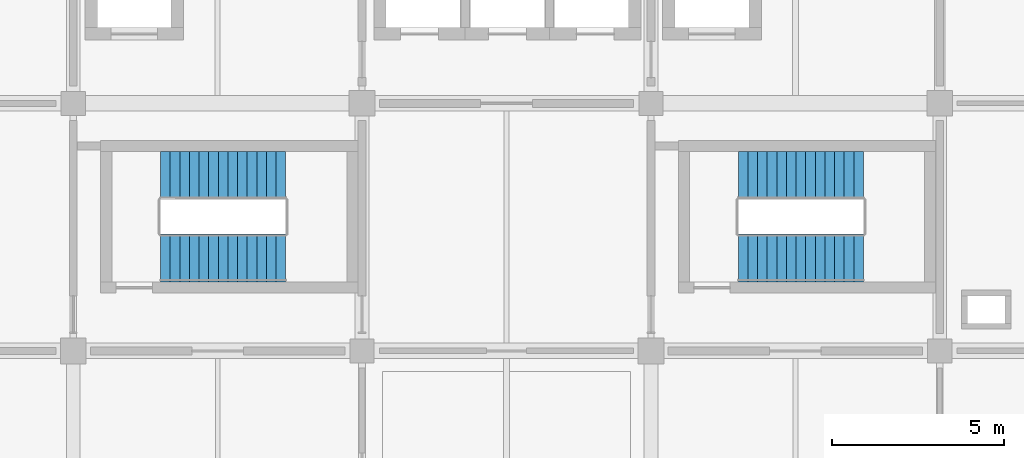
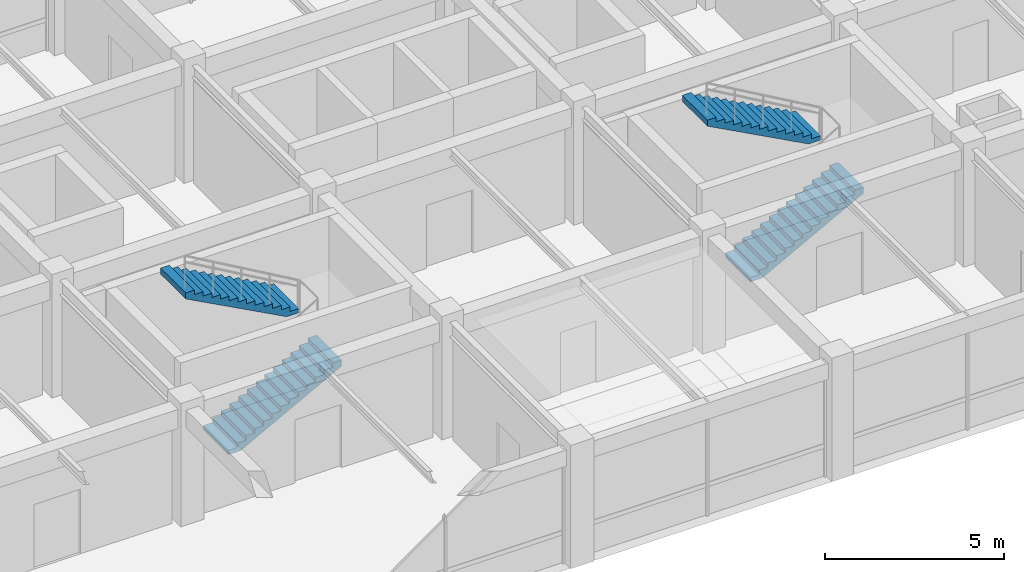
# One storey, part 11 of 13: 4 stair flights, 2 elements without a shape of their own.
"""IFC4 building model written with IfcOpenShell, lengths in metres."""

from ifc_helpers import new_model, si_unit, derived_unit, direction, frame, origin, place, context, subcontext, project, spatial, polyline, outline, extrude, material, type_object, element, aggregate, save


model = new_model("IFC4")

# Units and contexts
model_context = context("Model", 3, precision=1e-05, world=origin(), true_north=direction((0.0, 1.0)))
body_context = subcontext(model_context, "Body", "Model", "MODEL_VIEW")
ifc_project = project(units=[si_unit("LENGTHUNIT", "METRE"), si_unit("AREAUNIT", "SQUARE_METRE"), si_unit("VOLUMEUNIT", "CUBIC_METRE"), si_unit("PLANEANGLEUNIT", "RADIAN"), si_unit("MASSUNIT", "GRAM", prefix="KILO"), derived_unit("THERMALTRANSMITTANCEUNIT", [(si_unit("MASSUNIT", "GRAM", prefix="KILO"), 1), (si_unit("TIMEUNIT", "SECOND"), -3), (si_unit("THERMODYNAMICTEMPERATUREUNIT", "KELVIN"), -1)])], contexts=[model_context])

# Site, building, storey
site_placement = place(None, origin())
site = spatial("IfcSite", under=ifc_project, at=site_placement, CompositionType="ELEMENT")
building_placement = place(site_placement, origin())
building = spatial("IfcBuilding", under=site, at=building_placement, Name="Veldstrom Oceanarium and Marine Research Institute", CompositionType="ELEMENT")
storey_placement = place(building_placement, frame((0.0, 0.0, 31.199951171875)))
storey = spatial("IfcBuildingStorey", under=building, at=storey_placement, Name="L06", CompositionType="ELEMENT", Elevation=31.199951171875)

# Stair, stair flights
ifc_material_1 = material(Name="Concrete C40/50", Category="concrete")
stair_type = type_object("IfcStairType", Name="ARC-STR-ST-420", PredefinedType="TWO_STRAIGHT_RUN_STAIR", material=ifc_material_1)
stair_1_placement = place(storey_placement, origin())
stair_1 = element("IfcStair", 1, at=stair_1_placement, inside=storey, type_object=stair_type, Name="Dog-Leg Escape Stair ST1-L06", PredefinedType="TWO_STRAIGHT_RUN_STAIR")
ifc_material_2 = material(Name="Concrete C40/50", Category="concrete")
stair_flight_type = type_object("IfcStairFlightType", Name="ARC-STF-ST-420", PredefinedType="STRAIGHT", material=ifc_material_2)
stair_flight_1_placement = place(storey_placement, frame((78.139892578125, 53.10009765625, 0.0), z_axis=(0.0, 0.0, 1.0), x_axis=(1.0, 0.0, 0.0)))
stair_flight_1 = element("IfcStairFlight", 2, at=stair_flight_1_placement, type_object=stair_flight_type, Name="Stair Flight ST1-L06-1", NumberOfRisers=14, NumberOfTreads=13, PredefinedType="STRAIGHT", RiserHeight=0.15, TreadLength=0.28, context=body_context, shape_type="SweptSolid", body=[
    extrude(outline(polyline([(0.0, 0.0), (0.0, 0.14990234375), (0.280029296875, 0.14990234375), (0.280029296875, 0.300048828125), (0.56005859375, 0.300048828125), (0.56005859375, 0.449951171875), (0.840087890625, 0.449951171875), (0.840087890625, 0.60009765625), (1.1201171875, 0.60009765625), (1.1201171875, 0.75), (1.39990234375, 0.75), (1.39990234375, 0.89990234375), (1.679931640625, 0.89990234375), (1.679931640625, 1.050048828125), (1.9599609375, 1.050048828125), (1.9599609375, 1.199951171875), (2.239990234375, 1.199951171875), (2.239990234375, 1.35009765625), (2.52001953125, 1.35009765625), (2.52001953125, 1.5), (2.800048828125, 1.5), (2.800048828125, 1.64990234375), (3.080078125, 1.64990234375), (3.080078125, 1.800048828125), (3.360107421875, 1.800048828125), (3.360107421875, 1.949951171875), (3.639892578125, 1.949951171875), (3.639892578125, 2.10009765625), (3.639892578125, 1.745849609375), (0.381103515625, 0.0), (0.0, 0.0)])), frame((0.0, 0.699951171875, 0.0), z_axis=(0.0, -1.0, 0.0), x_axis=(1.0, 0.0, 0.0)), (0.0, 0.0, 1.0), 1.39990234375),
])
stair_flight_2_placement = place(storey_placement, frame((81.780029296875, 55.5, 2.10009765625), z_axis=(0.0, 0.0, 1.0), x_axis=(-1.0, 0.0, 0.0)))
stair_flight_2 = element("IfcStairFlight", 3, at=stair_flight_2_placement, type_object=stair_flight_type, Name="Stair Flight ST1-L06-2", NumberOfRisers=14, NumberOfTreads=13, PredefinedType="STRAIGHT", RiserHeight=0.15, TreadLength=0.28, context=body_context, shape_type="SweptSolid", body=[
    extrude(outline(polyline([(0.0, 0.0), (0.0, 0.14990234375), (0.280029296875, 0.14990234375), (0.280029296875, 0.300048828125), (0.56005859375, 0.300048828125), (0.56005859375, 0.449951171875), (0.840087890625, 0.449951171875), (0.840087890625, 0.60009765625), (1.1201171875, 0.60009765625), (1.1201171875, 0.75), (1.39990234375, 0.75), (1.39990234375, 0.89990234375), (1.679931640625, 0.89990234375), (1.679931640625, 1.050048828125), (1.9599609375, 1.050048828125), (1.9599609375, 1.199951171875), (2.239990234375, 1.199951171875), (2.239990234375, 1.35009765625), (2.52001953125, 1.35009765625), (2.52001953125, 1.5), (2.800048828125, 1.5), (2.800048828125, 1.64990234375), (3.080078125, 1.64990234375), (3.080078125, 1.800048828125), (3.360107421875, 1.800048828125), (3.360107421875, 1.949951171875), (3.639892578125, 1.949951171875), (3.639892578125, 2.10009765625), (3.639892578125, 1.745849609375), (0.381103515625, 0.0), (0.0, 0.0)])), frame((0.0, 0.699951171875, 0.0), z_axis=(0.0, -1.0, 0.0), x_axis=(1.0, 0.0, 0.0)), (0.0, 0.0, 1.0), 1.39990234375),
])
aggregate(stair_1, [stair_flight_1, stair_flight_2])

stair_2_placement = place(storey_placement, origin())
stair_2 = element("IfcStair", 4, at=stair_2_placement, inside=storey, type_object=stair_type, Name="Dog-Leg Escape Stair ST2-L06", PredefinedType="TWO_STRAIGHT_RUN_STAIR")
stair_flight_3_placement = place(storey_placement, frame((94.93994140625, 53.10009765625, 0.0), z_axis=(0.0, 0.0, 1.0), x_axis=(1.0, 0.0, 0.0)))
stair_flight_3 = element("IfcStairFlight", 5, at=stair_flight_3_placement, type_object=stair_flight_type, Name="Stair Flight ST2-L06-1", NumberOfRisers=14, NumberOfTreads=13, PredefinedType="STRAIGHT", RiserHeight=0.15, TreadLength=0.28, context=body_context, shape_type="SweptSolid", body=[
    extrude(outline(polyline([(0.0, 0.0), (0.0, 0.14990234375), (0.280029296875, 0.14990234375), (0.280029296875, 0.300048828125), (0.56005859375, 0.300048828125), (0.56005859375, 0.449951171875), (0.840087890625, 0.449951171875), (0.840087890625, 0.60009765625), (1.1201171875, 0.60009765625), (1.1201171875, 0.75), (1.39990234375, 0.75), (1.39990234375, 0.89990234375), (1.679931640625, 0.89990234375), (1.679931640625, 1.050048828125), (1.9599609375, 1.050048828125), (1.9599609375, 1.199951171875), (2.239990234375, 1.199951171875), (2.239990234375, 1.35009765625), (2.52001953125, 1.35009765625), (2.52001953125, 1.5), (2.800048828125, 1.5), (2.800048828125, 1.64990234375), (3.080078125, 1.64990234375), (3.080078125, 1.800048828125), (3.360107421875, 1.800048828125), (3.360107421875, 1.949951171875), (3.639892578125, 1.949951171875), (3.639892578125, 2.10009765625), (3.639892578125, 1.745849609375), (0.381103515625, 0.0), (0.0, 0.0)])), frame((0.0, 0.699951171875, 0.0), z_axis=(0.0, -1.0, 0.0), x_axis=(1.0, 0.0, 0.0)), (0.0, 0.0, 1.0), 1.39990234375),
])
stair_flight_4_placement = place(storey_placement, frame((98.580078125, 55.5, 2.10009765625), z_axis=(0.0, 0.0, 1.0), x_axis=(-1.0, 0.0, 0.0)))
stair_flight_4 = element("IfcStairFlight", 6, at=stair_flight_4_placement, type_object=stair_flight_type, Name="Stair Flight ST2-L06-2", NumberOfRisers=14, NumberOfTreads=13, PredefinedType="STRAIGHT", RiserHeight=0.15, TreadLength=0.28, context=body_context, shape_type="SweptSolid", body=[
    extrude(outline(polyline([(0.0, 0.0), (0.0, 0.14990234375), (0.280029296875, 0.14990234375), (0.280029296875, 0.300048828125), (0.56005859375, 0.300048828125), (0.56005859375, 0.449951171875), (0.840087890625, 0.449951171875), (0.840087890625, 0.60009765625), (1.1201171875, 0.60009765625), (1.1201171875, 0.75), (1.39990234375, 0.75), (1.39990234375, 0.89990234375), (1.679931640625, 0.89990234375), (1.679931640625, 1.050048828125), (1.9599609375, 1.050048828125), (1.9599609375, 1.199951171875), (2.239990234375, 1.199951171875), (2.239990234375, 1.35009765625), (2.52001953125, 1.35009765625), (2.52001953125, 1.5), (2.800048828125, 1.5), (2.800048828125, 1.64990234375), (3.080078125, 1.64990234375), (3.080078125, 1.800048828125), (3.360107421875, 1.800048828125), (3.360107421875, 1.949951171875), (3.639892578125, 1.949951171875), (3.639892578125, 2.10009765625), (3.639892578125, 1.745849609375), (0.381103515625, 0.0), (0.0, 0.0)])), frame((0.0, 0.699951171875, 0.0), z_axis=(0.0, -1.0, 0.0), x_axis=(1.0, 0.0, 0.0)), (0.0, 0.0, 1.0), 1.39990234375),
])
aggregate(stair_2, [stair_flight_3, stair_flight_4])

save(model, "model.ifc")
